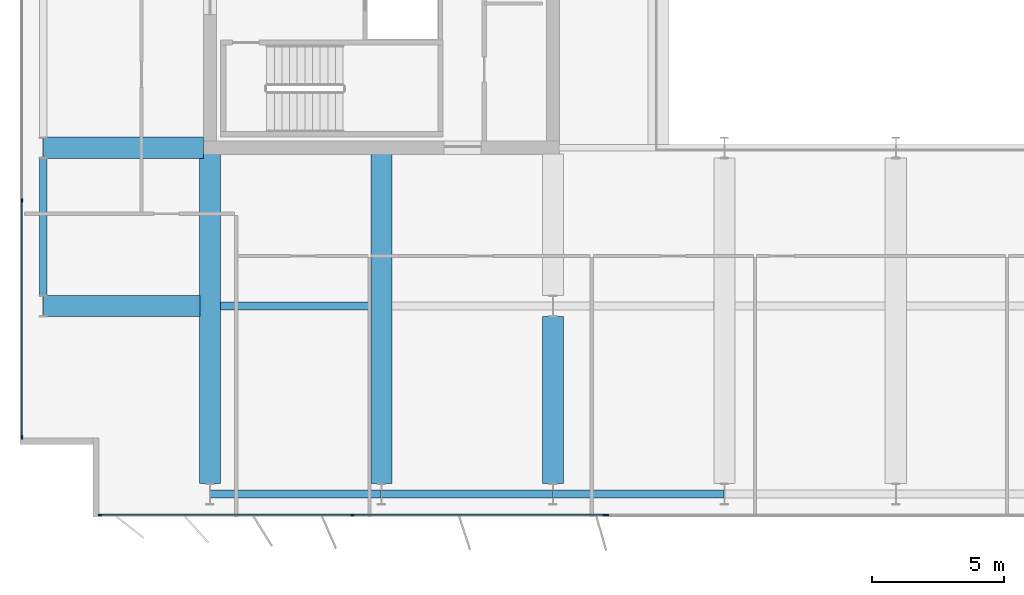
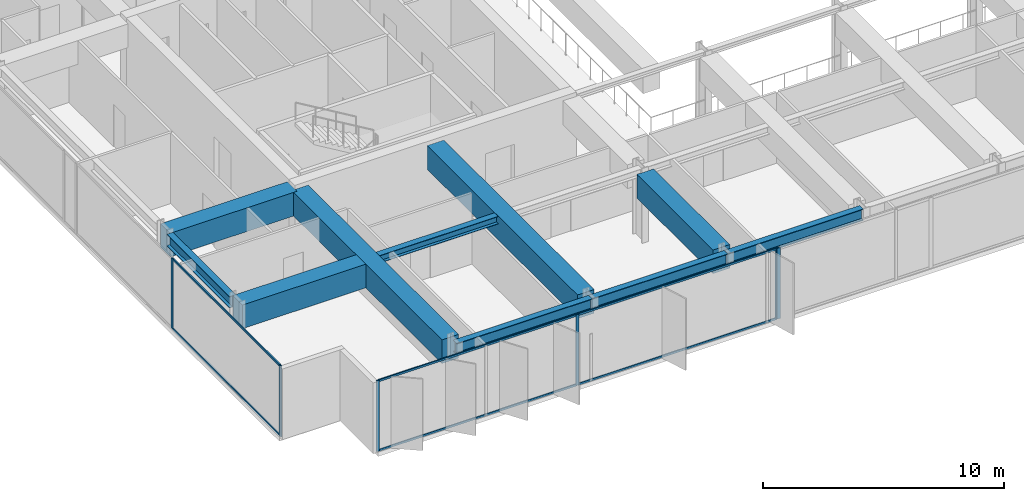
# One storey, part 3 of 24: 12 members, 10 beams, 3 elements without a shape of their own.
"""IFC4 building model written with IfcOpenShell, lengths in metres."""

import ifcopenshell
import ifcopenshell.guid

model = None  # the IFC model being written
_history = None  # IfcOwnerHistory: only IFC2X3 demands one
_inside = {}  # id of a spatial element -> (the spatial element, [elements in it])
_under = {}  # id of a project, library or spatial element -> (it, [spatial elements below it])
_declared = {}  # id of a project -> (the project, [libraries it declares])
_typed = {}  # id of a type object -> (the type object, [elements of that type])
_made_of = {}  # id of a material, layer set ... -> (it, [elements and type objects made of it])


def new_model(schema):
    """Start an empty IFC model of exactly this schema.

    Asked for "IFC4X3", IfcOpenShell would pick the latest addendum, in which some entities
    have other attributes; the version numbers below select the first issue.
    IFC2X3 requires an IfcOwnerHistory on every rooted entity: one is made here for all.
    """
    global model, _history
    if schema == "IFC4X3":
        model = ifcopenshell.file(schema_version=(4, 3, 0, 0))
    else:
        model = ifcopenshell.file(schema=schema)
    _inside.clear()
    _under.clear()
    _declared.clear()
    _typed.clear()
    _made_of.clear()
    _history = None
    if model.schema == "IFC2X3":
        org = make("IfcOrganization", Name="unknown")
        user = make(
            "IfcPersonAndOrganization",
            ThePerson=make("IfcPerson", FamilyName="unknown"),
            TheOrganization=org,
        )
        app = make(
            "IfcApplication",
            ApplicationDeveloper=org,
            Version="unknown",
            ApplicationFullName="unknown",
            ApplicationIdentifier="unknown",
        )
        _history = make(
            "IfcOwnerHistory",
            OwningUser=user,
            OwningApplication=app,
            ChangeAction="ADDED",
            CreationDate=0,
        )
    return model


def make(cls, **values):
    """One entity of the class cls with the attributes given. An attribute that is None is left unset."""
    return model.create_entity(
        cls, **{name: value for name, value in values.items() if value is not None}
    )


def rooted(cls, **values):
    """An entity with a GlobalId (a new one), such as an element, a storey or a relation."""
    return make(cls, GlobalId=ifcopenshell.guid.new(), OwnerHistory=_history, **values)


def si_unit(unit_type, name, prefix=None):
    """IfcSIUnit, for example si_unit("LENGTHUNIT", "METRE", prefix="MILLI")."""
    return make("IfcSIUnit", UnitType=unit_type, Prefix=prefix, Name=name)


def assignment(units):
    """IfcUnitAssignment: the units of a project."""
    return None if units is None else make("IfcUnitAssignment", Units=units)


def point(xyz):
    """IfcCartesianPoint."""
    return None if xyz is None else make("IfcCartesianPoint", Coordinates=xyz)


def direction(xyz):
    """IfcDirection."""
    return None if xyz is None else make("IfcDirection", DirectionRatios=xyz)


def frame(location, z_axis=None, x_axis=None):
    """IfcAxis2Placement3D, a coordinate frame: its origin and axes. An axis left out is left unset."""
    return make(
        "IfcAxis2Placement3D",
        Location=point(location),
        Axis=direction(z_axis),
        RefDirection=direction(x_axis),
    )


def frame_2d(location, x_axis=None):
    """IfcAxis2Placement2D, a coordinate frame in the plane: its origin and x axis."""
    return make(
        "IfcAxis2Placement2D", Location=point(location), RefDirection=direction(x_axis)
    )


def origin():
    """The frame at (0, 0, 0) with its axes left unset."""
    return frame((0.0, 0.0, 0.0))


def origin_2d():
    """The frame at (0, 0) in the plane with its x axis left unset."""
    return frame_2d((0.0, 0.0))


def place(relative_to, where):
    """IfcLocalPlacement: puts the frame where relative to a parent placement (None: the world)."""
    return make(
        "IfcLocalPlacement", PlacementRelTo=relative_to, RelativePlacement=where
    )


def context(
    kind, dimensions, precision=None, world=None, true_north=None, identifier=None
):
    """IfcGeometricRepresentationContext, for example the 3D "Model" context."""
    return make(
        "IfcGeometricRepresentationContext",
        ContextIdentifier=identifier,
        ContextType=kind,
        CoordinateSpaceDimension=dimensions,
        Precision=precision,
        WorldCoordinateSystem=world,
        TrueNorth=true_north,
    )


def subcontext(parent, identifier, kind, view, scale=None):
    """IfcGeometricRepresentationSubContext, for example "Body" below "Model"."""
    return make(
        "IfcGeometricRepresentationSubContext",
        ContextIdentifier=identifier,
        ContextType=kind,
        ParentContext=parent,
        TargetScale=scale,
        TargetView=view,
    )


def project(units=None, contexts=None):
    """IfcProject with its units and contexts."""
    return rooted(
        "IfcProject",
        Name="project",
        RepresentationContexts=contexts,
        UnitsInContext=assignment(units),
    )


def spatial(cls, under=None, at=None, **own):
    """A site, building, storey or space (cls), placed at a placement, below another one or the project."""
    s = rooted(cls, ObjectPlacement=at, **own)
    if under is not None:
        _under.setdefault(under.id(), (under, []))[1].append(s)
    return s


def profile(cls, at=None, kind="AREA", **sizes):
    """A parametric profile (cls). Its sizes go by their IFC names, for example OverallWidth=200.0."""
    return make(cls, ProfileType=kind, Position=at, **sizes)


def rectangle(**sizes):
    """IfcRectangleProfileDef."""
    return profile("IfcRectangleProfileDef", **sizes)


def i_section(**sizes):
    """IfcIShapeProfileDef."""
    return profile("IfcIShapeProfileDef", **sizes)


def extrude(swept, where, along, depth):
    """IfcExtrudedAreaSolid: the profile swept, set in the frame where, extruded along a direction by depth."""
    return make(
        "IfcExtrudedAreaSolid",
        SweptArea=swept,
        Position=where,
        ExtrudedDirection=direction(along),
        Depth=depth,
    )


def shape(context_of_items, identifier, shape_type, items):
    """IfcShapeRepresentation: the items that make up one representation, for example the "Body"."""
    return make(
        "IfcShapeRepresentation",
        ContextOfItems=context_of_items,
        RepresentationIdentifier=identifier,
        RepresentationType=shape_type,
        Items=items,
    )


def material(Name=None, Category=None):
    """IfcMaterial."""
    return make("IfcMaterial", Name=Name, Category=Category)


def layer(
    of_material, thickness, ventilated=None, Name=None, Category=None, Priority=None
):
    """IfcMaterialLayer: one layer of a wall or slab, of a material (None: an air gap)."""
    return make(
        "IfcMaterialLayer",
        Material=of_material,
        LayerThickness=thickness,
        IsVentilated=ventilated,
        Name=Name,
        Category=Category,
        Priority=Priority,
    )


def layer_set(layers, Name=None):
    """IfcMaterialLayerSet."""
    return make("IfcMaterialLayerSet", MaterialLayers=layers, LayerSetName=Name)


def material_profile(
    of_material, cross_section, Name=None, Category=None, Priority=None
):
    """IfcMaterialProfile: a cross section and its material."""
    return make(
        "IfcMaterialProfile",
        Name=Name,
        Material=of_material,
        Profile=cross_section,
        Priority=Priority,
        Category=Category,
    )


def profile_set(profiles, Name=None, composite=None):
    """IfcMaterialProfileSet."""
    return make(
        "IfcMaterialProfileSet",
        Name=Name,
        MaterialProfiles=profiles,
        CompositeProfile=composite,
    )


def made_of(thing, what):
    """Note that an element or type object is made of a material, layer set ...; save() writes the relation."""
    if what is not None:
        _made_of.setdefault(what.id(), (what, []))[1].append(thing)
    return thing


def type_object(cls, material=None, **own):
    """A type object (cls), such as IfcWallType, which elements share."""
    return made_of(rooted(cls, **own), material)


def element(
    cls,
    number,
    at=None,
    inside=None,
    cuts=None,
    type_object=None,
    material=None,
    context=None,
    identifier="Body",
    shape_type=None,
    held_by="IfcProductDefinitionShape",
    body=None,
    shapes=None,
    **own,
):
    """One element of the class cls, such as IfcWall. Its Tag is "e" and its number.

    at: its placement. inside: the storey or other place that contains it. cuts: it is an
    opening in that element (IfcRelVoidsElement). A single representation is given by context,
    identifier, shape_type and body (its items); several are given by shapes. held_by: the class
    of the entity that holds the representations. save() writes the other relations.
    """
    e = rooted(cls, Tag="e%d" % number, ObjectPlacement=at, **own)
    if body is not None:
        shapes = [shape(context, identifier, shape_type, body)]
    if shapes is not None:
        e.Representation = make(held_by, Representations=shapes)
    if inside is not None:
        _inside.setdefault(inside.id(), (inside, []))[1].append(e)
    if cuts is not None:
        rooted(
            "IfcRelVoidsElement", RelatingBuildingElement=cuts, RelatedOpeningElement=e
        )
    if type_object is not None:
        _typed.setdefault(type_object.id(), (type_object, []))[1].append(e)
    return made_of(e, material)


def aggregate(whole, parts):
    """IfcRelAggregates: a whole, such as a stair, and the parts it consists of."""
    return rooted("IfcRelAggregates", RelatingObject=whole, RelatedObjects=parts)


def save(model, path):
    """Write the relations noted so far, then the file.

    IfcRelAggregates (storeys below a building ...), IfcRelContainedInSpatialStructure (elements
    in a storey), IfcRelDefinesByType, IfcRelAssociatesMaterial and IfcRelDeclares: one each for
    every whole, place, type object, material and project.
    """
    for whole, parts in _under.values():
        aggregate(whole, parts)
    for where, things in _inside.values():
        rooted(
            "IfcRelContainedInSpatialStructure",
            RelatedElements=things,
            RelatingStructure=where,
        )
    for kind, things in _typed.values():
        rooted("IfcRelDefinesByType", RelatedObjects=things, RelatingType=kind)
    for what, things in _made_of.values():
        rooted("IfcRelAssociatesMaterial", RelatedObjects=things, RelatingMaterial=what)
    for by, libraries in _declared.values():
        rooted("IfcRelDeclares", RelatingContext=by, RelatedDefinitions=libraries)
    model.write(path)


model = new_model("IFC4")

# Units and contexts
model_context = context("Model", 3, precision=1e-05, world=origin(), true_north=direction((0.0, 1.0)))
body_context = subcontext(model_context, "Body", "Model", "MODEL_VIEW")
ifc_project = project(units=[si_unit("LENGTHUNIT", "METRE"), si_unit("AREAUNIT", "SQUARE_METRE"), si_unit("VOLUMEUNIT", "CUBIC_METRE"), si_unit("PLANEANGLEUNIT", "RADIAN"), si_unit("MASSUNIT", "GRAM", prefix="KILO")], contexts=[model_context])

# Site, building, storey
site_placement = place(None, origin())
site = spatial("IfcSite", under=ifc_project, at=site_placement, CompositionType="ELEMENT")
building_placement = place(site_placement, origin())
building = spatial("IfcBuilding", under=site, at=building_placement, Name="Putna Gate Headquarters", CompositionType="ELEMENT")
storey_placement = place(building_placement, frame((0.0, 0.0, 251.800048828125)))
storey = spatial("IfcBuildingStorey", under=building, at=storey_placement, Name="L63", CompositionType="ELEMENT", Elevation=251.800048828125)

# Beams
ifc_material_1 = material(Name="Steel S355J2", Category="steel")
ifc_material_profile_1 = material_profile(ifc_material_1, i_section(OverallWidth=0.300048828125, OverallDepth=0.389892578125, WebThickness=0.010986328125, FlangeThickness=0.01904296875, at=origin_2d()), Name="Steel S355J2")
ifc_profile_set_1 = profile_set([ifc_material_profile_1], Name="Steel S355J2")
beam_type_1 = type_object("IfcBeamType", Name="BM-SEC-Z5-HEA400", PredefinedType="BEAM", material=ifc_profile_set_1)
beam_1_placement = place(storey_placement, frame((13.404052734375, 13.0, 3.39306640625), z_axis=(1.0, 0.0, 0.0), x_axis=(0.0, 1.0, 0.0)))
element("IfcBeam", 1, at=beam_1_placement, inside=storey, type_object=beam_type_1, Name="L63 South Secondary Beam 1", PredefinedType="BEAM", context=body_context, shape_type="SweptSolid", body=[
    extrude(i_section(OverallWidth=0.300048828125, OverallDepth=0.389892578125, WebThickness=0.010986328125, FlangeThickness=0.01904296875, at=origin_2d()), origin(), (0.0, 0.0, 1.0), 5.69189453125),
])
ifc_material_profile_2 = material_profile(ifc_material_1, i_section(OverallWidth=0.300048828125, OverallDepth=0.590087890625, WebThickness=0.012939453125, FlangeThickness=0.02490234375, at=origin_2d()), Name="Steel S355J2")
ifc_profile_set_2 = profile_set([ifc_material_profile_2], Name="Steel S355J2")
beam_type_2 = type_object("IfcBeamType", Name="BM-SPAN-Z4-HEA600", PredefinedType="SPANDREL", material=ifc_profile_set_2)
for number, where, z_axis, x_axis, name in (
    (2, (13.006103515625, 5.8798828125, 3.29296875), (1.0, 0.0, 0.0), (0.0, 1.0, 0.0), "L63 S Perimeter Spandrel 1"),
    (3, (19.506103515625, 5.8798828125, 3.29296875), (1.0, 0.0, 0.0), (0.0, 1.0, 0.0), "L63 S Perimeter Spandrel 2"),
    (4, (26.006103515625, 5.8798828125, 3.29296875), (1.0, 0.0, 0.0), (0.0, 1.0, 0.0), "L63 S Perimeter Spandrel 3"),
):
    element("IfcBeam", number, at=place(storey_placement, frame(where, z_axis=z_axis, x_axis=x_axis)), inside=storey, type_object=beam_type_2, Name=name, PredefinedType="SPANDREL", context=body_context, shape_type="SweptSolid", body=[
        extrude(i_section(OverallWidth=0.300048828125, OverallDepth=0.590087890625, WebThickness=0.012939453125, FlangeThickness=0.02490234375, at=origin_2d()), origin(), (0.0, 0.0, 1.0), 6.48779296875),
    ])
beam_2_placement = place(storey_placement, frame((6.679931640625, 13.39501953125, 3.29296875), z_axis=(0.0, 1.0, 0.0), x_axis=(-1.0, 0.0, 0.0)))
element("IfcBeam", 5, at=beam_2_placement, inside=storey, type_object=beam_type_2, Name="L63 W End Spandrel 1", PredefinedType="SPANDREL", context=body_context, shape_type="SweptSolid", body=[
    extrude(i_section(OverallWidth=0.300048828125, OverallDepth=0.590087890625, WebThickness=0.012939453125, FlangeThickness=0.02490234375, at=origin_2d()), origin(), (0.0, 0.0, 1.0), 5.2099609375),
])
ifc_material_2 = material(Name="Concrete C50/60", Category="concrete")
ifc_material_profile_3 = material_profile(ifc_material_2, rectangle(XDim=0.800048828125, YDim=1.199951171875, at=origin_2d()), Name="Concrete C50/60")
ifc_profile_set_3 = profile_set([ifc_material_profile_3], Name="Concrete C50/60")
beam_type_3 = type_object("IfcBeamType", Name="BM-TG-RC1200", PredefinedType="USERDEFINED", material=ifc_profile_set_3)
beam_3_placement = place(storey_placement, frame((6.68603515625, 13.0, 2.988037109375), z_axis=(1.0, 0.0, 0.0), x_axis=(0.0, 1.0, 0.0)))
element("IfcBeam", 6, at=beam_3_placement, inside=storey, type_object=beam_type_3, Name="L63 West Setback Girder Y13", ObjectType="GIRDER", PredefinedType="USERDEFINED", context=body_context, shape_type="SweptSolid", body=[
    extrude(rectangle(XDim=0.800048828125, YDim=1.199951171875, at=origin_2d()), origin(), (0.0, 0.0, 1.0), 5.928955078125),
])
beam_4_placement = place(storey_placement, frame((6.68603515625, 19.0, 2.988037109375), z_axis=(1.0, 0.0, 0.0), x_axis=(0.0, 1.0, 0.0)))
element("IfcBeam", 7, at=beam_4_placement, inside=storey, type_object=beam_type_3, Name="L63 West Wing Girder Y19", ObjectType="GIRDER", PredefinedType="USERDEFINED", context=body_context, shape_type="SweptSolid", body=[
    extrude(rectangle(XDim=0.800048828125, YDim=1.199951171875, at=origin_2d()), origin(), (0.0, 0.0, 1.0), 6.078857421875),
])
for number, where, z_axis, x_axis, name in (
    (8, (13.0, 6.27490234375, 2.988037109375), (0.0, 1.0, 0.0), (-1.0, 0.0, 0.0), "L63 South Primary Girder X13"),
    (9, (19.5, 6.27490234375, 2.988037109375), (0.0, 1.0, 0.0), (-1.0, 0.0, 0.0), "L63 South Primary Girder X19"),
):
    element("IfcBeam", number, at=place(storey_placement, frame(where, z_axis=z_axis, x_axis=x_axis)), inside=storey, type_object=beam_type_3, Name=name, ObjectType="GIRDER", PredefinedType="USERDEFINED", context=body_context, shape_type="SweptSolid", body=[
        extrude(rectangle(XDim=0.800048828125, YDim=1.199951171875, at=origin_2d()), origin(), (0.0, 0.0, 1.0), 12.489990234375),
    ])
beam_5_placement = place(storey_placement, frame((26.0, 6.27490234375, 2.988037109375), z_axis=(0.0, 1.0, 0.0), x_axis=(-1.0, 0.0, 0.0)))
element("IfcBeam", 10, at=beam_5_placement, inside=storey, type_object=beam_type_3, Name="L63 South Primary Girder X26-1", ObjectType="GIRDER", PredefinedType="USERDEFINED", context=body_context, shape_type="SweptSolid", body=[
    extrude(rectangle(XDim=0.800048828125, YDim=1.199951171875, at=origin_2d()), origin(), (0.0, 0.0, 1.0), 6.330078125),
])

# Curtain wall, members
ifc_material_3 = material(Name="Anodised bronze aluminium curtain wall", Category="aluminium")
ifc_layer_1 = layer(ifc_material_3, 0.139892578125)
ifc_layer_set_1 = layer_set([ifc_layer_1], Name="Anodised bronze aluminium curtain wall")
curtain_wall_type_1 = type_object("IfcCurtainWallType", Name="CW-SYS-Z4", PredefinedType="USERDEFINED", material=ifc_layer_set_1)
curtain_wall_1_placement = place(storey_placement, origin())
curtain_wall_1 = element("IfcCurtainWall", 11, at=curtain_wall_1_placement, inside=storey, type_object=curtain_wall_type_1, Name="L63 South West Curtain Wall", ObjectType="STICK CURTAIN WALL", PredefinedType="USERDEFINED")
ifc_material_4 = material(Name="Anodised bronze aluminium EN AW-6060", Category="aluminium")
ifc_material_profile_4 = material_profile(ifc_material_4, rectangle(XDim=0.06005859375, YDim=0.139892578125, at=origin_2d()), Name="Anodised bronze aluminium EN AW-6060")
ifc_profile_set_4 = profile_set([ifc_material_profile_4], Name="Anodised bronze aluminium EN AW-6060")
member_type_1 = type_object("IfcMemberType", Name="MULL-CWM-4", PredefinedType="MULLION", material=ifc_profile_set_4)
member_1_placement = place(storey_placement, frame((8.830078125, 5.080078125, 0.0), z_axis=(0.0, 0.0, 1.0), x_axis=(0.0, 1.0, 0.0)))
member_1 = element("IfcMember", 12, at=member_1_placement, type_object=member_type_1, Name="CWS-4 mullion 1", PredefinedType="MULLION", context=body_context, shape_type="SweptSolid", body=[
    extrude(rectangle(XDim=0.06005859375, YDim=0.139892578125, at=origin_2d()), origin(), (0.0, 0.0, 1.0), 3.587890625),
])
member_2_placement = place(storey_placement, frame((18.39990234375, 5.080078125, 0.0), z_axis=(0.0, 0.0, 1.0), x_axis=(0.0, 1.0, 0.0)))
member_2 = element("IfcMember", 13, at=member_2_placement, type_object=member_type_1, Name="CWS-4 mullion 2", PredefinedType="MULLION", context=body_context, shape_type="SweptSolid", body=[
    extrude(rectangle(XDim=0.06005859375, YDim=0.139892578125, at=origin_2d()), origin(), (0.0, 0.0, 1.0), 3.587890625),
])
member_3_placement = place(storey_placement, frame((27.969970703125, 5.080078125, 0.0), z_axis=(0.0, 0.0, 1.0), x_axis=(0.0, 1.0, 0.0)))
member_3 = element("IfcMember", 14, at=member_3_placement, type_object=member_type_1, Name="CWS-4 mullion 3", PredefinedType="MULLION", context=body_context, shape_type="SweptSolid", body=[
    extrude(rectangle(XDim=0.06005859375, YDim=0.139892578125, at=origin_2d()), origin(), (0.0, 0.0, 1.0), 3.587890625),
])

curtain_wall_2_placement = place(storey_placement, origin())
curtain_wall_2 = element("IfcCurtainWall", 15, at=curtain_wall_2_placement, inside=storey, type_object=curtain_wall_type_1, Name="L63 West Curtain Wall", ObjectType="STICK CURTAIN WALL", PredefinedType="USERDEFINED")
member_4_placement = place(storey_placement, frame((5.8798828125, 8.030029296875, 0.0), z_axis=(0.0, 0.0, 1.0), x_axis=(-1.0, 0.0, 0.0)))
member_4 = element("IfcMember", 16, at=member_4_placement, type_object=member_type_1, Name="CWS-4 mullion 1", PredefinedType="MULLION", context=body_context, shape_type="SweptSolid", body=[
    extrude(rectangle(XDim=0.06005859375, YDim=0.139892578125, at=origin_2d()), origin(), (0.0, 0.0, 1.0), 3.587890625),
])
member_5_placement = place(storey_placement, frame((5.8798828125, 17.0, 0.0), z_axis=(0.0, 0.0, 1.0), x_axis=(-1.0, 0.0, 0.0)))
member_5 = element("IfcMember", 17, at=member_5_placement, type_object=member_type_1, Name="CWS-4 mullion 2", PredefinedType="MULLION", context=body_context, shape_type="SweptSolid", body=[
    extrude(rectangle(XDim=0.06005859375, YDim=0.139892578125, at=origin_2d()), origin(), (0.0, 0.0, 1.0), 3.587890625),
])

# Curtain wall, member
ifc_layer_2 = layer(ifc_material_3, 0.179931640625)
ifc_layer_set_2 = layer_set([ifc_layer_2], Name="Anodised bronze aluminium curtain wall")
curtain_wall_type_2 = type_object("IfcCurtainWallType", Name="CW-SYS-ATR", PredefinedType="USERDEFINED", material=ifc_layer_set_2)
curtain_wall_3_placement = place(storey_placement, origin())
curtain_wall_3 = element("IfcCurtainWall", 18, at=curtain_wall_3_placement, inside=storey, type_object=curtain_wall_type_2, Name="L63 South Atrium Clear Glazing", ObjectType="ATRIUM GLAZING", PredefinedType="USERDEFINED")
ifc_material_profile_5 = material_profile(ifc_material_4, rectangle(XDim=0.070068359375, YDim=0.179931640625, at=origin_2d()), Name="Anodised bronze aluminium EN AW-6060")
ifc_profile_set_5 = profile_set([ifc_material_profile_5], Name="Anodised bronze aluminium EN AW-6060")
member_type_2 = type_object("IfcMemberType", Name="MULL-CWM-AT", PredefinedType="MULLION", material=ifc_profile_set_5)
member_6_placement = place(storey_placement, frame((28.034912109375, 5.080078125, 0.0), z_axis=(0.0, 0.0, 1.0), x_axis=(0.0, 1.0, 0.0)))
member_6 = element("IfcMember", 19, at=member_6_placement, type_object=member_type_2, Name="CWS-AT mullion 1", PredefinedType="MULLION", context=body_context, shape_type="SweptSolid", body=[
    extrude(rectangle(XDim=0.070068359375, YDim=0.179931640625, at=origin_2d()), origin(), (0.0, 0.0, 1.0), 3.587890625),
])
aggregate(curtain_wall_3, [member_6])

# Member
ifc_material_profile_6 = material_profile(ifc_material_4, rectangle(XDim=0.06005859375, YDim=0.10009765625, at=origin_2d()), Name="Anodised bronze aluminium EN AW-6060")
ifc_profile_set_6 = profile_set([ifc_material_profile_6], Name="Anodised bronze aluminium EN AW-6060")
member_type_3 = type_object("IfcMemberType", Name="TRAN-CWT-4", PredefinedType="USERDEFINED", material=ifc_profile_set_6)
member_7_placement = place(storey_placement, frame((8.860107421875, 5.080078125, 0.030029296875), z_axis=(1.0, 0.0, 0.0), x_axis=(0.0, 1.0, 0.0)))
member_7 = element("IfcMember", 20, at=member_7_placement, type_object=member_type_3, Name="CWS-4 transom 1.1", ObjectType="TRANSOM", PredefinedType="USERDEFINED", context=body_context, shape_type="SweptSolid", body=[
    extrude(rectangle(XDim=0.06005859375, YDim=0.10009765625, at=origin_2d()), origin(), (0.0, 0.0, 1.0), 9.510009765625),
])

member_8_placement = place(storey_placement, frame((8.860107421875, 5.080078125, 3.557861328125), z_axis=(1.0, 0.0, 0.0), x_axis=(0.0, 1.0, 0.0)))
member_8 = element("IfcMember", 21, at=member_8_placement, type_object=member_type_3, Name="CWS-4 transom 1.2", ObjectType="TRANSOM", PredefinedType="USERDEFINED", context=body_context, shape_type="SweptSolid", body=[
    extrude(rectangle(XDim=0.06005859375, YDim=0.10009765625, at=origin_2d()), origin(), (0.0, 0.0, 1.0), 9.510009765625),
])

member_9_placement = place(storey_placement, frame((18.429931640625, 5.080078125, 0.030029296875), z_axis=(1.0, 0.0, 0.0), x_axis=(0.0, 1.0, 0.0)))
member_9 = element("IfcMember", 22, at=member_9_placement, type_object=member_type_3, Name="CWS-4 transom 2.1", ObjectType="TRANSOM", PredefinedType="USERDEFINED", context=body_context, shape_type="SweptSolid", body=[
    extrude(rectangle(XDim=0.06005859375, YDim=0.10009765625, at=origin_2d()), origin(), (0.0, 0.0, 1.0), 9.510009765625),
])

member_10_placement = place(storey_placement, frame((18.429931640625, 5.080078125, 3.557861328125), z_axis=(1.0, 0.0, 0.0), x_axis=(0.0, 1.0, 0.0)))
member_10 = element("IfcMember", 23, at=member_10_placement, type_object=member_type_3, Name="CWS-4 transom 2.2", ObjectType="TRANSOM", PredefinedType="USERDEFINED", context=body_context, shape_type="SweptSolid", body=[
    extrude(rectangle(XDim=0.06005859375, YDim=0.10009765625, at=origin_2d()), origin(), (0.0, 0.0, 1.0), 9.510009765625),
])

aggregate(curtain_wall_1, [member_1, member_2, member_3, member_7, member_8, member_9, member_10])

member_11_placement = place(storey_placement, frame((5.8798828125, 8.06005859375, 0.030029296875), z_axis=(0.0, 1.0, 0.0), x_axis=(-1.0, 0.0, 0.0)))
member_11 = element("IfcMember", 24, at=member_11_placement, type_object=member_type_3, Name="CWS-4 transom 1.1", ObjectType="TRANSOM", PredefinedType="USERDEFINED", context=body_context, shape_type="SweptSolid", body=[
    extrude(rectangle(XDim=0.06005859375, YDim=0.10009765625, at=origin_2d()), origin(), (0.0, 0.0, 1.0), 8.909912109375),
])

member_12_placement = place(storey_placement, frame((5.8798828125, 8.06005859375, 3.557861328125), z_axis=(0.0, 1.0, 0.0), x_axis=(-1.0, 0.0, 0.0)))
member_12 = element("IfcMember", 25, at=member_12_placement, type_object=member_type_3, Name="CWS-4 transom 1.2", ObjectType="TRANSOM", PredefinedType="USERDEFINED", context=body_context, shape_type="SweptSolid", body=[
    extrude(rectangle(XDim=0.06005859375, YDim=0.10009765625, at=origin_2d()), origin(), (0.0, 0.0, 1.0), 8.909912109375),
])

aggregate(curtain_wall_2, [member_4, member_5, member_11, member_12])

save(model, "model.ifc")
